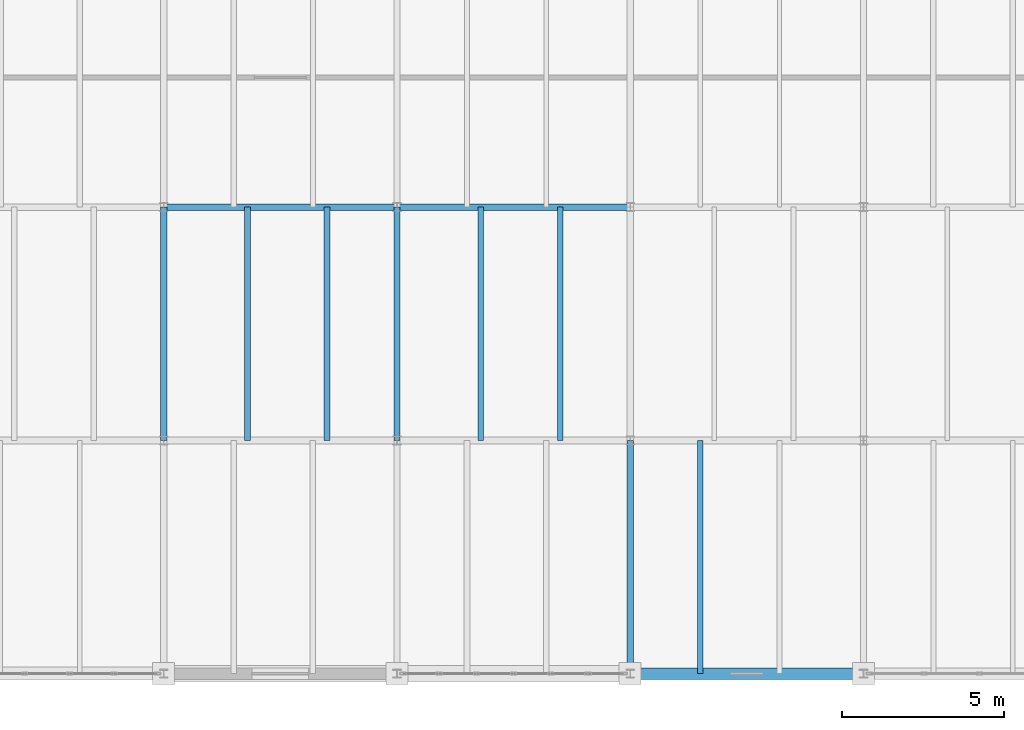
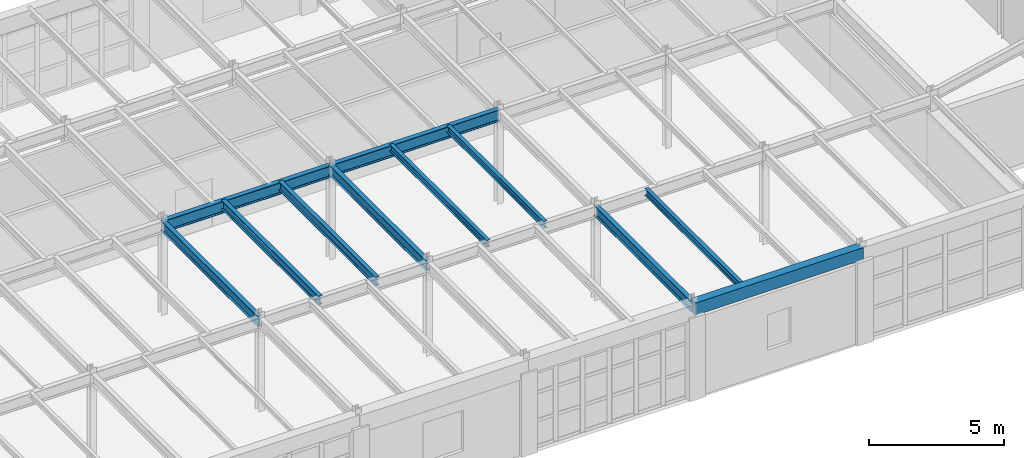
# One storey, part 69 of 137: 11 beams.
"""IFC4 building model written with IfcOpenShell, lengths in metres."""

from ifc_helpers import new_model, si_unit, direction, frame, origin, origin_2d, place, context, subcontext, project, spatial, rectangle, i_section, extrude, material, material_profile, profile_set, type_object, element, save


model = new_model("IFC4")

# Units and contexts
model_context = context("Model", 3, precision=1e-05, world=origin(), true_north=direction((0.0, 1.0)))
body_context = subcontext(model_context, "Body", "Model", "MODEL_VIEW")
ifc_project = project(units=[si_unit("LENGTHUNIT", "METRE"), si_unit("AREAUNIT", "SQUARE_METRE"), si_unit("VOLUMEUNIT", "CUBIC_METRE"), si_unit("PLANEANGLEUNIT", "RADIAN"), si_unit("MASSUNIT", "GRAM", prefix="KILO")], contexts=[model_context])

# Site, building, storey
site_placement = place(None, origin())
site = spatial("IfcSite", under=ifc_project, at=site_placement, CompositionType="ELEMENT")
building_placement = place(site_placement, origin())
building = spatial("IfcBuilding", under=site, at=building_placement, Name="Kemerveld Promenade Tramway Depot", CompositionType="ELEMENT")
storey_placement = place(building_placement, frame((0.0, 0.0, 5.39990234375)))
storey = spatial("IfcBuildingStorey", under=building, at=storey_placement, Name="L01", CompositionType="ELEMENT", Elevation=5.39990234375)

# Beams
ifc_material_1 = material(Name="Steel S355", Category="steel")
ifc_material_profile_1 = material_profile(ifc_material_1, i_section(OverallWidth=0.2099609375, OverallDepth=0.53662109375, WebThickness=0.0107421875, FlangeThickness=0.017333984375, FilletRadius=0.0126953125, at=origin_2d()), Name="533x210x101 UB")
ifc_profile_set_1 = profile_set([ifc_material_profile_1], Name="Steel S355")
beam_type_1 = type_object("IfcBeamType", Name="BM-G05", PredefinedType="BEAM", material=ifc_profile_set_1)
for number, where, z_axis, x_axis, name in (
    (1, (129.60009765625, 14.39990234375, 3.981689453125), (1.0, 0.0, 0.0), (0.0, 1.0, 0.0), "BMX-L01-19-20-C"),
    (2, (136.800048828125, 14.39990234375, 3.99169921875), (1.0, 0.0, 0.0), (0.0, 1.0, 0.0), "BMX-L01-20-21-C"),
):
    element("IfcBeam", number, at=place(storey_placement, frame(where, z_axis=z_axis, x_axis=x_axis)), inside=storey, type_object=beam_type_1, Name=name, PredefinedType="BEAM", context=body_context, shape_type="SweptSolid", body=[
        extrude(i_section(OverallWidth=0.2099609375, OverallDepth=0.53662109375, WebThickness=0.0107421875, FlangeThickness=0.017333984375, FilletRadius=0.0126953125, at=origin_2d()), origin(), (0.0, 0.0, 1.0), 7.199951171875),
    ])
ifc_material_profile_2 = material_profile(ifc_material_1, i_section(OverallWidth=0.19140625, OverallDepth=0.4599609375, WebThickness=0.010009765625, FlangeThickness=0.01611328125, FilletRadius=0.01025390625, at=origin_2d()), Name="457x191x82 UB")
ifc_profile_set_2 = profile_set([ifc_material_profile_2], Name="Steel S355")
beam_type_2 = type_object("IfcBeamType", Name="BM-G06", PredefinedType="BEAM", material=ifc_profile_set_2)
for number, where, z_axis, x_axis, name in (
    (3, (129.60009765625, 7.199951171875, 4.02001953125), (0.0, 1.0, 0.0), (-1.0, 0.0, 0.0), "BMY-L01-19-B-C"),
    (4, (136.800048828125, 7.199951171875, 4.030029296875), (0.0, 1.0, 0.0), (-1.0, 0.0, 0.0), "BMY-L01-20-B-C"),
    (5, (144.0, 0.0, 4.030029296875), (0.0, 1.0, 0.0), (-1.0, 0.0, 0.0), "BMY-L01-21-A-B"),
):
    element("IfcBeam", number, at=place(storey_placement, frame(where, z_axis=z_axis, x_axis=x_axis)), inside=storey, type_object=beam_type_2, Name=name, PredefinedType="BEAM", context=body_context, shape_type="SweptSolid", body=[
        extrude(i_section(OverallWidth=0.19140625, OverallDepth=0.4599609375, WebThickness=0.010009765625, FlangeThickness=0.01611328125, FilletRadius=0.01025390625, at=origin_2d()), origin(), (0.0, 0.0, 1.0), 7.199951171875),
    ])
ifc_material_profile_3 = material_profile(ifc_material_1, i_section(OverallWidth=0.165771484375, OverallDepth=0.306640625, WebThickness=0.006591796875, FlangeThickness=0.01171875, FilletRadius=0.0087890625, at=origin_2d()), Name="305x165x46 UB")
ifc_profile_set_3 = profile_set([ifc_material_profile_3], Name="Steel S355")
beam_type_3 = type_object("IfcBeamType", Name="BM-J01", PredefinedType="JOIST", material=ifc_profile_set_3)
for number, where, z_axis, x_axis, name in (
    (6, (139.39208984375, 7.199951171875, 4.106689453125), (0.0, 1.0, 0.0), (-1.0, 0.0, 0.0), "JST-L01-20-B-1"),
    (7, (141.840087890625, 7.199951171875, 4.106689453125), (0.0, 1.0, 0.0), (-1.0, 0.0, 0.0), "JST-L01-20-B-2"),
    (8, (146.159912109375, 0.0, 4.106689453125), (0.0, 1.0, 0.0), (-1.0, 0.0, 0.0), "JST-L01-21-A-1"),
):
    element("IfcBeam", number, at=place(storey_placement, frame(where, z_axis=z_axis, x_axis=x_axis)), inside=storey, type_object=beam_type_3, Name=name, PredefinedType="JOIST", context=body_context, shape_type="SweptSolid", body=[
        extrude(i_section(OverallWidth=0.165771484375, OverallDepth=0.306640625, WebThickness=0.006591796875, FlangeThickness=0.01171875, FilletRadius=0.0087890625, at=origin_2d()), origin(), (0.0, 0.0, 1.0), 7.199951171875),
    ])
ifc_material_profile_4 = material_profile(ifc_material_1, i_section(OverallWidth=0.1787109375, OverallDepth=0.409423828125, WebThickness=0.0087890625, FlangeThickness=0.014404296875, FilletRadius=0.01025390625, at=origin_2d()), Name="406x178x67 UB")
ifc_profile_set_4 = profile_set([ifc_material_profile_4], Name="Steel S355")
beam_type_4 = type_object("IfcBeamType", Name="BM-J05", PredefinedType="JOIST", material=ifc_profile_set_4)
for number, where, z_axis, x_axis, name in (
    (9, (132.19189453125, 7.199951171875, 4.055419921875), (0.0, 1.0, 0.0), (-1.0, 0.0, 0.0), "JST-L01-19-B-1"),
    (10, (134.639892578125, 7.199951171875, 4.055419921875), (0.0, 1.0, 0.0), (-1.0, 0.0, 0.0), "JST-L01-19-B-2"),
):
    element("IfcBeam", number, at=place(storey_placement, frame(where, z_axis=z_axis, x_axis=x_axis)), inside=storey, type_object=beam_type_4, Name=name, PredefinedType="JOIST", context=body_context, shape_type="SweptSolid", body=[
        extrude(i_section(OverallWidth=0.1787109375, OverallDepth=0.409423828125, WebThickness=0.0087890625, FlangeThickness=0.014404296875, FilletRadius=0.01025390625, at=origin_2d()), origin(), (0.0, 0.0, 1.0), 7.199951171875),
    ])
ifc_material_2 = material(Name="Concrete C40/50", Category="concrete")
ifc_material_profile_5 = material_profile(ifc_material_2, rectangle(XDim=0.35009765625, YDim=0.550048828125, at=origin_2d()), Name="RC-BM-350x550")
ifc_profile_set_5 = profile_set([ifc_material_profile_5], Name="Concrete C40/50")
beam_type_5 = type_object("IfcBeamType", Name="BM-RC3", PredefinedType="BEAM", material=ifc_profile_set_5)
beam_placement = place(storey_placement, frame((144.0, 0.0, 3.985107421875), z_axis=(1.0, 0.0, 0.0), x_axis=(0.0, 1.0, 0.0)))
element("IfcBeam", 11, at=beam_placement, inside=storey, type_object=beam_type_5, Name="BMX-L01-21-22-A", PredefinedType="BEAM", context=body_context, shape_type="SweptSolid", body=[
    extrude(rectangle(XDim=0.35009765625, YDim=0.550048828125, at=origin_2d()), origin(), (0.0, 0.0, 1.0), 7.199951171875),
])

save(model, "model.ifc")
